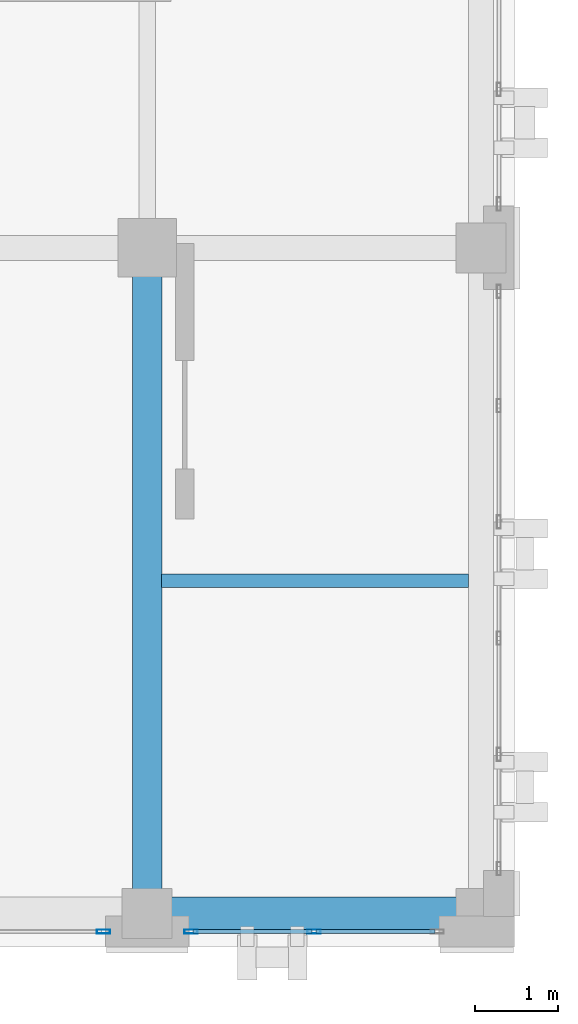
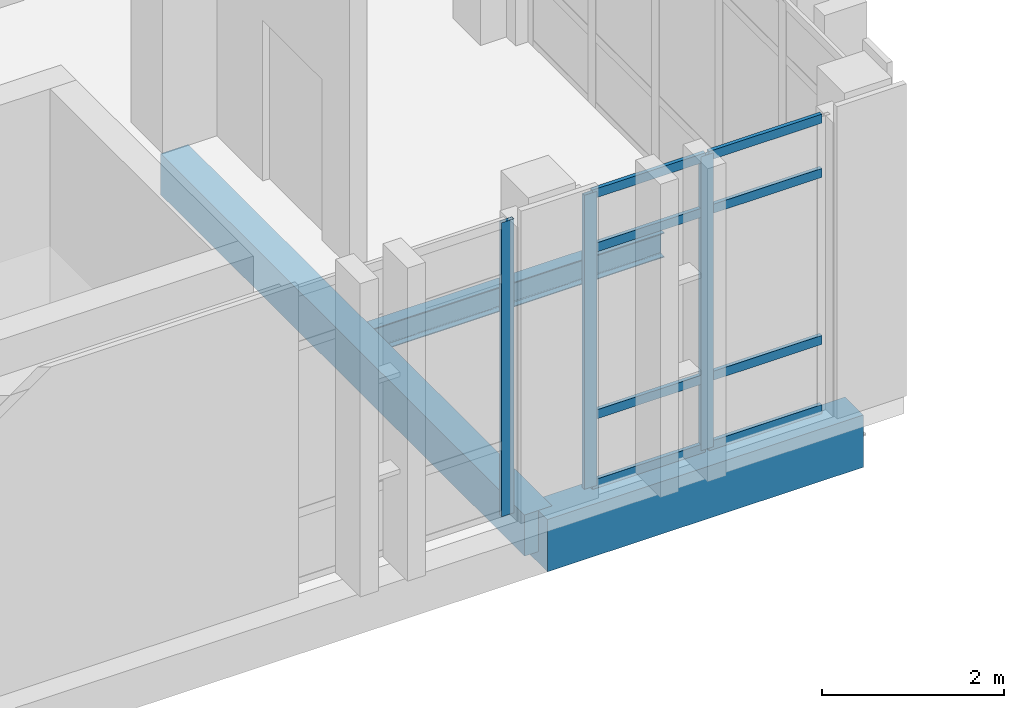
# One storey, part 3 of 77: 11 members, 3 beams, 2 elements without a shape of their own.
"""IFC4 building model written with IfcOpenShell, lengths in metres."""

from ifc_helpers import new_model, si_unit, direction, frame, origin, origin_2d, place, context, subcontext, project, spatial, rectangle, hollow_rectangle, i_section, extrude, material, layer, layer_set, material_profile, profile_set, type_object, element, aggregate, save


model = new_model("IFC4")

# Units and contexts
model_context = context("Model", 3, precision=1e-05, world=origin(), true_north=direction((0.0, 1.0)))
body_context = subcontext(model_context, "Body", "Model", "MODEL_VIEW")
ifc_project = project(units=[si_unit("LENGTHUNIT", "METRE"), si_unit("AREAUNIT", "SQUARE_METRE"), si_unit("VOLUMEUNIT", "CUBIC_METRE"), si_unit("PLANEANGLEUNIT", "RADIAN"), si_unit("MASSUNIT", "GRAM", prefix="KILO")], contexts=[model_context])

# Site, building, storey
site_placement = place(None, origin())
site = spatial("IfcSite", under=ifc_project, at=site_placement, CompositionType="ELEMENT")
building_placement = place(site_placement, origin())
building = spatial("IfcBuilding", under=site, at=building_placement, Name="Qalavern Law Courts", CompositionType="ELEMENT")
storey_placement = place(building_placement, frame((0.0, 0.0, 27.0)))
storey = spatial("IfcBuildingStorey", under=building, at=storey_placement, Name="L06", CompositionType="ELEMENT", Elevation=27.0)

# Curtain wall, member
ifc_material_1 = material(Name="Anodised aluminium and insulated glazing", Category="aluminium")
ifc_layer = layer(ifc_material_1, 0.159912109375)
ifc_layer_set = layer_set([ifc_layer], Name="Anodised aluminium and insulated glazing")
curtain_wall_type = type_object("IfcCurtainWallType", Name="ENV-CW-CHAMB", PredefinedType="USERDEFINED", material=ifc_layer_set)
curtain_wall_1_placement = place(storey_placement, origin())
curtain_wall_1 = element("IfcCurtainWall", 1, at=curtain_wall_1_placement, inside=storey, type_object=curtain_wall_type, Name="V3 unitised curtain wall L06 south 1", ObjectType="UNITISED CURTAIN WALL", PredefinedType="USERDEFINED")
ifc_material_2 = material(Name="Anodised aluminium", Category="aluminium")
ifc_material_profile_1 = material_profile(ifc_material_2, hollow_rectangle(XDim=0.048095703125, YDim=0.159912109375, WallThickness=0.00390625, at=origin_2d()), Name="ALU MULLION 48x160")
ifc_profile_set_1 = profile_set([ifc_material_profile_1], Name="Anodised aluminium")
member_type_1 = type_object("IfcMemberType", Name="ENV-CWM-48x160", PredefinedType="MULLION", material=ifc_profile_set_1)
member_1_placement = place(storey_placement, frame((13.8759765625, 41.205078125, 0.0), z_axis=(0.0, 0.0, 1.0), x_axis=(0.0, 1.0, 0.0)))
member_1 = element("IfcMember", 2, at=member_1_placement, type_object=member_type_1, Name="CW-04 mullion 3", PredefinedType="MULLION", context=body_context, shape_type="SweptSolid", body=[
    extrude(hollow_rectangle(XDim=0.048095703125, YDim=0.159912109375, WallThickness=0.00390625, at=origin_2d()), origin(), (0.0, 0.0, 1.0), 3.93505859375),
])
aggregate(curtain_wall_1, [member_1])

# Curtain wall, members
curtain_wall_2_placement = place(storey_placement, origin())
curtain_wall_2 = element("IfcCurtainWall", 3, at=curtain_wall_2_placement, inside=storey, type_object=curtain_wall_type, Name="V3 unitised curtain wall L06 south 2", ObjectType="UNITISED CURTAIN WALL", PredefinedType="USERDEFINED")
member_2_placement = place(storey_placement, frame((14.924072265625, 41.205078125, 0.0), z_axis=(0.0, 0.0, 1.0), x_axis=(0.0, 1.0, 0.0)))
member_2 = element("IfcMember", 4, at=member_2_placement, type_object=member_type_1, Name="CW-04 mullion 1", PredefinedType="MULLION", context=body_context, shape_type="SweptSolid", body=[
    extrude(hollow_rectangle(XDim=0.048095703125, YDim=0.159912109375, WallThickness=0.00390625, at=origin_2d()), origin(), (0.0, 0.0, 1.0), 3.93505859375),
])
member_3_placement = place(storey_placement, frame((16.39990234375, 41.205078125, 0.0), z_axis=(0.0, 0.0, 1.0), x_axis=(0.0, 1.0, 0.0)))
member_3 = element("IfcMember", 5, at=member_3_placement, type_object=member_type_1, Name="CW-04 mullion 2", PredefinedType="MULLION", context=body_context, shape_type="SweptSolid", body=[
    extrude(hollow_rectangle(XDim=0.048095703125, YDim=0.159912109375, WallThickness=0.00390625, at=origin_2d()), origin(), (0.0, 0.0, 1.0), 3.93505859375),
])
ifc_material_profile_2 = material_profile(ifc_material_2, hollow_rectangle(XDim=0.048095703125, YDim=0.1201171875, WallThickness=0.00390625, at=origin_2d()), Name="ALU TRANSOM 48x120")
ifc_profile_set_2 = profile_set([ifc_material_profile_2], Name="Anodised aluminium")
member_type_2 = type_object("IfcMemberType", Name="ENV-CWT-48x120", PredefinedType="USERDEFINED", material=ifc_profile_set_2)
member_4_placement = place(storey_placement, frame((14.947998046875, 41.205078125, 0.02392578125), z_axis=(1.0, 0.0, 0.0), x_axis=(0.0, 1.0, 0.0)))
member_4 = element("IfcMember", 6, at=member_4_placement, type_object=member_type_2, Name="CW-04 transom 1.1", ObjectType="TRANSOM", PredefinedType="USERDEFINED", context=body_context, shape_type="SweptSolid", body=[
    extrude(hollow_rectangle(XDim=0.048095703125, YDim=0.1201171875, WallThickness=0.00390625, at=origin_2d()), origin(), (0.0, 0.0, 1.0), 1.427978515625),
])
member_5_placement = place(storey_placement, frame((14.947998046875, 41.205078125, 0.949951171875), z_axis=(1.0, 0.0, 0.0), x_axis=(0.0, 1.0, 0.0)))
member_5 = element("IfcMember", 7, at=member_5_placement, type_object=member_type_2, Name="CW-04 transom 1.2", ObjectType="TRANSOM", PredefinedType="USERDEFINED", context=body_context, shape_type="SweptSolid", body=[
    extrude(hollow_rectangle(XDim=0.048095703125, YDim=0.1201171875, WallThickness=0.00390625, at=origin_2d()), origin(), (0.0, 0.0, 1.0), 1.427978515625),
])
member_6_placement = place(storey_placement, frame((14.947998046875, 41.205078125, 3.18505859375), z_axis=(1.0, 0.0, 0.0), x_axis=(0.0, 1.0, 0.0)))
member_6 = element("IfcMember", 8, at=member_6_placement, type_object=member_type_2, Name="CW-04 transom 1.3", ObjectType="TRANSOM", PredefinedType="USERDEFINED", context=body_context, shape_type="SweptSolid", body=[
    extrude(hollow_rectangle(XDim=0.048095703125, YDim=0.1201171875, WallThickness=0.00390625, at=origin_2d()), origin(), (0.0, 0.0, 1.0), 1.427978515625),
])
member_7_placement = place(storey_placement, frame((14.947998046875, 41.205078125, 3.910888671875), z_axis=(1.0, 0.0, 0.0), x_axis=(0.0, 1.0, 0.0)))
member_7 = element("IfcMember", 9, at=member_7_placement, type_object=member_type_2, Name="CW-04 transom 1.4", ObjectType="TRANSOM", PredefinedType="USERDEFINED", context=body_context, shape_type="SweptSolid", body=[
    extrude(hollow_rectangle(XDim=0.048095703125, YDim=0.1201171875, WallThickness=0.00390625, at=origin_2d()), origin(), (0.0, 0.0, 1.0), 1.427978515625),
])
member_8_placement = place(storey_placement, frame((16.424072265625, 41.205078125, 0.02392578125), z_axis=(1.0, 0.0, 0.0), x_axis=(0.0, 1.0, 0.0)))
member_8 = element("IfcMember", 10, at=member_8_placement, type_object=member_type_2, Name="CW-04 transom 2.1", ObjectType="TRANSOM", PredefinedType="USERDEFINED", context=body_context, shape_type="SweptSolid", body=[
    extrude(hollow_rectangle(XDim=0.048095703125, YDim=0.1201171875, WallThickness=0.00390625, at=origin_2d()), origin(), (0.0, 0.0, 1.0), 1.427978515625),
])
member_9_placement = place(storey_placement, frame((16.424072265625, 41.205078125, 0.949951171875), z_axis=(1.0, 0.0, 0.0), x_axis=(0.0, 1.0, 0.0)))
member_9 = element("IfcMember", 11, at=member_9_placement, type_object=member_type_2, Name="CW-04 transom 2.2", ObjectType="TRANSOM", PredefinedType="USERDEFINED", context=body_context, shape_type="SweptSolid", body=[
    extrude(hollow_rectangle(XDim=0.048095703125, YDim=0.1201171875, WallThickness=0.00390625, at=origin_2d()), origin(), (0.0, 0.0, 1.0), 1.427978515625),
])
member_10_placement = place(storey_placement, frame((16.424072265625, 41.205078125, 3.18505859375), z_axis=(1.0, 0.0, 0.0), x_axis=(0.0, 1.0, 0.0)))
member_10 = element("IfcMember", 12, at=member_10_placement, type_object=member_type_2, Name="CW-04 transom 2.3", ObjectType="TRANSOM", PredefinedType="USERDEFINED", context=body_context, shape_type="SweptSolid", body=[
    extrude(hollow_rectangle(XDim=0.048095703125, YDim=0.1201171875, WallThickness=0.00390625, at=origin_2d()), origin(), (0.0, 0.0, 1.0), 1.427978515625),
])
member_11_placement = place(storey_placement, frame((16.424072265625, 41.205078125, 3.910888671875), z_axis=(1.0, 0.0, 0.0), x_axis=(0.0, 1.0, 0.0)))
member_11 = element("IfcMember", 13, at=member_11_placement, type_object=member_type_2, Name="CW-04 transom 2.4", ObjectType="TRANSOM", PredefinedType="USERDEFINED", context=body_context, shape_type="SweptSolid", body=[
    extrude(hollow_rectangle(XDim=0.048095703125, YDim=0.1201171875, WallThickness=0.00390625, at=origin_2d()), origin(), (0.0, 0.0, 1.0), 1.427978515625),
])
aggregate(curtain_wall_2, [member_2, member_3, member_4, member_5, member_6, member_7, member_8, member_9, member_10, member_11])

# Beams
ifc_material_3 = material(Name="Concrete C35/45", Category="concrete")
ifc_material_profile_3 = material_profile(ifc_material_3, rectangle(XDim=0.35009765625, YDim=0.550048828125, at=origin_2d()), Name="RC 350x550")
ifc_profile_set_3 = profile_set([ifc_material_profile_3], Name="Concrete C35/45")
beam_type_1 = type_object("IfcBeamType", Name="STR-BM-RC350x550", PredefinedType="BEAM", material=ifc_profile_set_3)
beam_1_placement = place(storey_placement, frame((14.39990234375, 41.419921875, -0.544921875), z_axis=(0.0, 1.0, 0.0), x_axis=(-1.0, 0.0, 0.0)))
element("IfcBeam", 14, at=beam_1_placement, inside=storey, type_object=beam_type_1, Name="V3 Y-beam 2-1 L06", PredefinedType="BEAM", context=body_context, shape_type="SweptSolid", body=[
    extrude(rectangle(XDim=0.35009765625, YDim=0.550048828125, at=origin_2d()), origin(), (0.0, 0.0, 1.0), 7.97998046875),
])
ifc_material_4 = material(Name="Steel S355", Category="steel")
ifc_material_profile_4 = material_profile(ifc_material_4, i_section(OverallWidth=0.159912109375, OverallDepth=0.330078125, WebThickness=0.007568359375, FlangeThickness=0.011474609375, FilletRadius=0.01806640625, at=origin_2d()), Name="IPE 330")
ifc_profile_set_4 = profile_set([ifc_material_profile_4], Name="Steel S355")
beam_type_2 = type_object("IfcBeamType", Name="STR-JST-IPE330", PredefinedType="JOIST", material=ifc_profile_set_4)
beam_2_placement = place(storey_placement, frame((14.572998046875, 45.409912109375, -0.43505859375), z_axis=(1.0, 0.0, 0.0), x_axis=(0.0, 1.0, 0.0)))
element("IfcBeam", 15, at=beam_2_placement, inside=storey, type_object=beam_type_2, Name="V3 secondary joist 2.1.1 L06", PredefinedType="JOIST", context=body_context, shape_type="SweptSolid", body=[
    extrude(i_section(OverallWidth=0.159912109375, OverallDepth=0.330078125, WebThickness=0.007568359375, FlangeThickness=0.011474609375, FilletRadius=0.01806640625, at=origin_2d()), origin(), (0.0, 0.0, 1.0), 3.678955078125),
])
ifc_material_5 = material(Name="Concrete C40/50", Category="concrete")
ifc_material_profile_5 = material_profile(ifc_material_5, rectangle(XDim=0.39990234375, YDim=0.699951171875, at=origin_2d()), Name="RC 400x700")
ifc_profile_set_5 = profile_set([ifc_material_profile_5], Name="Concrete C40/50")
beam_type_3 = type_object("IfcBeamType", Name="STR-SP-RC400x700", PredefinedType="SPANDREL", material=ifc_profile_set_5)
beam_3_placement = place(storey_placement, frame((14.39990234375, 41.419921875, -0.6201171875), z_axis=(1.0, 0.0, 0.0), x_axis=(0.0, 1.0, 0.0)))
element("IfcBeam", 16, at=beam_3_placement, inside=storey, type_object=beam_type_3, Name="V3 X-beam 1-2 L06", PredefinedType="SPANDREL", context=body_context, shape_type="SweptSolid", body=[
    extrude(rectangle(XDim=0.39990234375, YDim=0.699951171875, at=origin_2d()), origin(), (0.0, 0.0, 1.0), 4.0),
])

save(model, "model.ifc")
